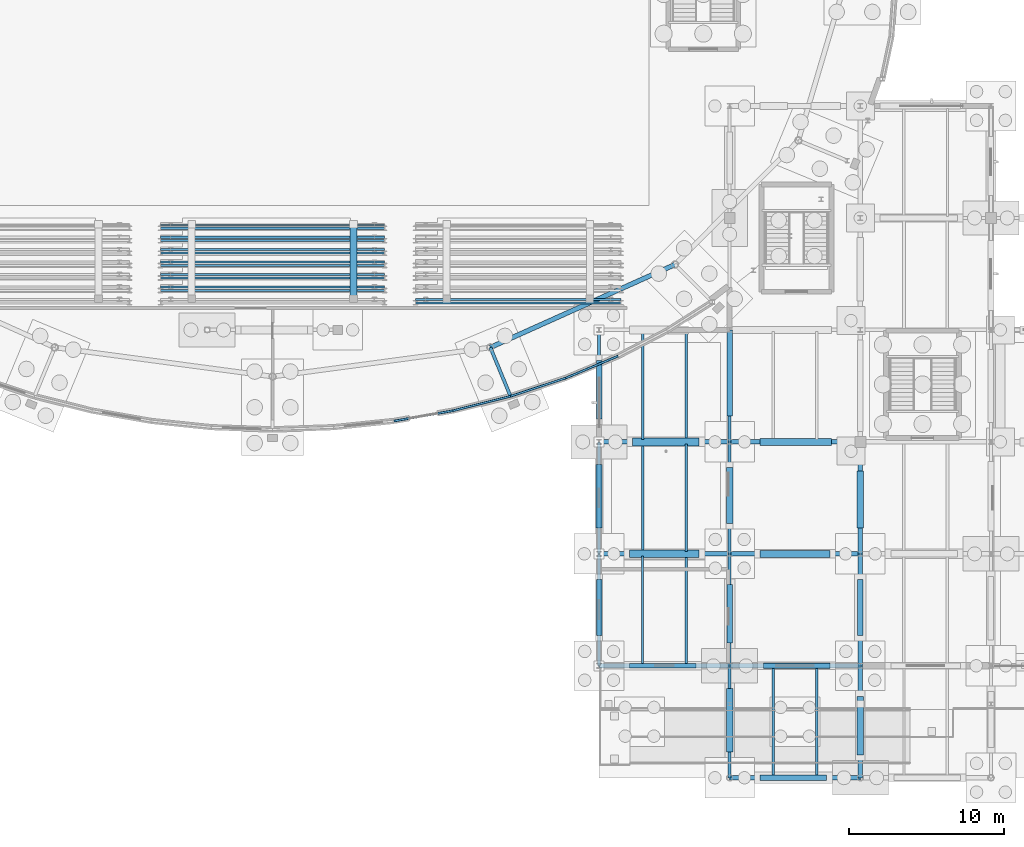
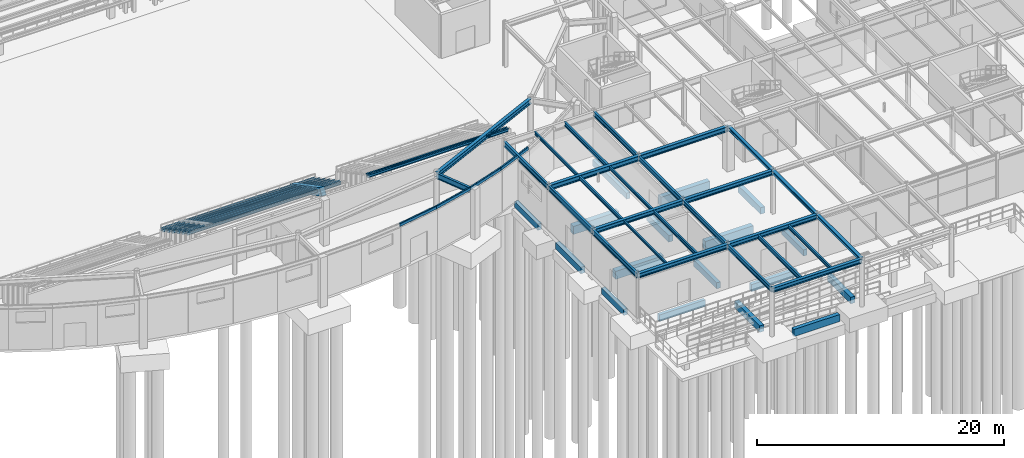
# One storey, part 34 of 93: 63 beams.
"""IFC4 building model written with IfcOpenShell, lengths in metres."""

from ifc_helpers import new_model, si_unit, derived_unit, direction, frame, origin, origin_2d, place, context, subcontext, project, spatial, rectangle, hollow_rectangle, i_section, extrude, material, material_profile, profile_set, type_object, element, save


model = new_model("IFC4")

# Units and contexts
model_context = context("Model", 3, precision=1e-05, world=origin(), true_north=direction((0.0, 1.0)))
body_context = subcontext(model_context, "Body", "Model", "MODEL_VIEW")
ifc_project = project(units=[si_unit("LENGTHUNIT", "METRE"), si_unit("AREAUNIT", "SQUARE_METRE"), si_unit("VOLUMEUNIT", "CUBIC_METRE"), si_unit("PLANEANGLEUNIT", "RADIAN"), si_unit("MASSUNIT", "GRAM", prefix="KILO"), derived_unit("THERMALTRANSMITTANCEUNIT", [(si_unit("MASSUNIT", "GRAM", prefix="KILO"), 1), (si_unit("TIMEUNIT", "SECOND"), -3), (si_unit("THERMODYNAMICTEMPERATUREUNIT", "KELVIN"), -1)])], contexts=[model_context])

# Site, building, storey
site_placement = place(None, origin())
site = spatial("IfcSite", under=ifc_project, at=site_placement, CompositionType="ELEMENT")
building_placement = place(site_placement, origin())
building = spatial("IfcBuilding", under=site, at=building_placement, Name="Kharveza Railside Sports Centre", CompositionType="ELEMENT")
storey_placement = place(building_placement, origin())
storey = spatial("IfcBuildingStorey", under=building, at=storey_placement, Name="L00", CompositionType="ELEMENT", Elevation=0.0)

# Beams
ifc_material_1 = material(Name="Steel S355J2", Category="steel")
ifc_material_profile_1 = material_profile(ifc_material_1, i_section(OverallWidth=0.2099609375, OverallDepth=0.550048828125, WebThickness=0.010986328125, FlangeThickness=0.01708984375, FilletRadius=0.02392578125, at=origin_2d()), Name="IPE 550")
ifc_profile_set_1 = profile_set([ifc_material_profile_1], Name="Steel S355J2")
beam_type_1 = type_object("IfcBeamType", Name="BM-G02", PredefinedType="T_BEAM", material=ifc_profile_set_1)
beam_1_placement = place(storey_placement, frame((68.606201171875, 27.672607421875, 4.0400390625), z_axis=(0.382666779591, -0.92388643014, 0.0), x_axis=(0.92388643014, 0.382666779591, 0.0)))
element("IfcBeam", 1, at=beam_1_placement, inside=storey, type_object=beam_type_1, Name="BM-DRAD-L00-14", PredefinedType="T_BEAM", context=body_context, shape_type="SweptSolid", body=[
    extrude(i_section(OverallWidth=0.2099609375, OverallDepth=0.550048828125, WebThickness=0.010986328125, FlangeThickness=0.01708984375, FilletRadius=0.02392578125, at=origin_2d()), origin(), (0.0, 0.0, 1.0), 3.39990234375),
])
ifc_material_profile_2 = material_profile(ifc_material_1, i_section(OverallWidth=0.199951171875, OverallDepth=0.5, WebThickness=0.01025390625, FlangeThickness=0.01611328125, FilletRadius=0.02099609375, at=origin_2d()), Name="IPE 500")
ifc_profile_set_2 = profile_set([ifc_material_profile_2], Name="Steel S355J2")
beam_type_2 = type_object("IfcBeamType", Name="BM-G03", PredefinedType="T_BEAM", material=ifc_profile_set_2)
beam_2_placement = place(storey_placement, frame((75.60009765625, 7.199951171875, 4.070068359375), z_axis=(0.0, 1.0, 0.0), x_axis=(-1.0, 0.0, 0.0)))
element("IfcBeam", 2, at=beam_2_placement, inside=storey, type_object=beam_type_2, Name="BM-NS-L00-B03-X756-Y72", PredefinedType="T_BEAM", context=body_context, shape_type="SweptSolid", body=[
    extrude(i_section(OverallWidth=0.199951171875, OverallDepth=0.5, WebThickness=0.01025390625, FlangeThickness=0.01611328125, FilletRadius=0.02099609375, at=origin_2d()), origin(), (0.0, 0.0, 1.0), 7.199951171875),
])
beam_3_placement = place(storey_placement, frame((75.60009765625, 14.39990234375, 4.070068359375), z_axis=(0.0, 1.0, 0.0), x_axis=(-1.0, 0.0, 0.0)))
element("IfcBeam", 3, at=beam_3_placement, inside=storey, type_object=beam_type_2, Name="BM-NS-L00-B03-X756-Y144", PredefinedType="T_BEAM", context=body_context, shape_type="SweptSolid", body=[
    extrude(i_section(OverallWidth=0.199951171875, OverallDepth=0.5, WebThickness=0.01025390625, FlangeThickness=0.01611328125, FilletRadius=0.02099609375, at=origin_2d()), origin(), (0.0, 0.0, 1.0), 7.2001953125),
])
beam_4_placement = place(storey_placement, frame((75.60009765625, 21.60009765625, 4.070068359375), z_axis=(0.0, 1.0, 0.0), x_axis=(-1.0, 0.0, 0.0)))
element("IfcBeam", 4, at=beam_4_placement, inside=storey, type_object=beam_type_2, Name="BM-NS-L00-B03-X756-Y216", PredefinedType="T_BEAM", context=body_context, shape_type="SweptSolid", body=[
    extrude(i_section(OverallWidth=0.199951171875, OverallDepth=0.5, WebThickness=0.01025390625, FlangeThickness=0.01611328125, FilletRadius=0.02099609375, at=origin_2d()), origin(), (0.0, 0.0, 1.0), 7.199951171875),
])
ifc_material_profile_3 = material_profile(ifc_material_1, i_section(OverallWidth=0.18994140625, OverallDepth=0.449951171875, WebThickness=0.009521484375, FlangeThickness=0.0146484375, FilletRadius=0.02099609375, at=origin_2d()), Name="IPE 450")
ifc_profile_set_3 = profile_set([ifc_material_profile_3], Name="Steel S355J2")
beam_type_3 = type_object("IfcBeamType", Name="BM-G04", PredefinedType="T_BEAM", material=ifc_profile_set_3)
for number, where, z_axis, x_axis, name in (
    (5, (84.0, 0.0, 4.094970703125), (0.0, 1.0, 0.0), (-1.0, 0.0, 0.0), "BM-NS-L00-B04-X840-Y0"),
    (6, (84.0, 7.199951171875, 4.094970703125), (0.0, 1.0, 0.0), (-1.0, 0.0, 0.0), "BM-NS-L00-B04-X840-Y72"),
):
    element("IfcBeam", number, at=place(storey_placement, frame(where, z_axis=z_axis, x_axis=x_axis)), inside=storey, type_object=beam_type_3, Name=name, PredefinedType="T_BEAM", context=body_context, shape_type="SweptSolid", body=[
        extrude(i_section(OverallWidth=0.18994140625, OverallDepth=0.449951171875, WebThickness=0.009521484375, FlangeThickness=0.0146484375, FilletRadius=0.02099609375, at=origin_2d()), origin(), (0.0, 0.0, 1.0), 7.199951171875),
    ])
beam_5_placement = place(storey_placement, frame((84.0, 14.39990234375, 4.094970703125), z_axis=(0.0, 1.0, 0.0), x_axis=(-1.0, 0.0, 0.0)))
element("IfcBeam", 7, at=beam_5_placement, inside=storey, type_object=beam_type_3, Name="BM-NS-L00-B04-X840-Y144", PredefinedType="T_BEAM", context=body_context, shape_type="SweptSolid", body=[
    extrude(i_section(OverallWidth=0.18994140625, OverallDepth=0.449951171875, WebThickness=0.009521484375, FlangeThickness=0.0146484375, FilletRadius=0.02099609375, at=origin_2d()), origin(), (0.0, 0.0, 1.0), 7.2001953125),
])
beam_6_placement = place(storey_placement, frame((84.0, 21.60009765625, 4.094970703125), z_axis=(0.0, 1.0, 0.0), x_axis=(-1.0, 0.0, 0.0)))
element("IfcBeam", 8, at=beam_6_placement, inside=storey, type_object=beam_type_3, Name="BM-NS-L00-B04-X840-Y216", PredefinedType="T_BEAM", context=body_context, shape_type="SweptSolid", body=[
    extrude(i_section(OverallWidth=0.18994140625, OverallDepth=0.449951171875, WebThickness=0.009521484375, FlangeThickness=0.0146484375, FilletRadius=0.02099609375, at=origin_2d()), origin(), (0.0, 0.0, 1.0), 7.199951171875),
])
ifc_material_profile_4 = material_profile(ifc_material_1, i_section(OverallWidth=0.300048828125, OverallDepth=0.5, WebThickness=0.014404296875, FlangeThickness=0.028076171875, FilletRadius=0.027099609375, at=origin_2d()), Name="HEB 500")
ifc_profile_set_4 = profile_set([ifc_material_profile_4], Name="Steel S355J2")
beam_type_4 = type_object("IfcBeamType", Name="BM-G05", PredefinedType="T_BEAM", material=ifc_profile_set_4)
for number, where, z_axis, x_axis, name in (
    (9, (75.60009765625, 21.60009765625, 4.070068359375), (1.0, 0.0, 0.0), (0.0, 1.0, 0.0), "BM-EW-L00-B05-X756-Y216"),
    (10, (84.0, 21.60009765625, 4.070068359375), (1.0, 0.0, 0.0), (0.0, 1.0, 0.0), "BM-EW-L00-B05-X840-Y216"),
):
    element("IfcBeam", number, at=place(storey_placement, frame(where, z_axis=z_axis, x_axis=x_axis)), inside=storey, type_object=beam_type_4, Name=name, PredefinedType="T_BEAM", context=body_context, shape_type="SweptSolid", body=[
        extrude(i_section(OverallWidth=0.300048828125, OverallDepth=0.5, WebThickness=0.014404296875, FlangeThickness=0.028076171875, FilletRadius=0.027099609375, at=origin_2d()), origin(), (0.0, 0.0, 1.0), 8.39990234375),
    ])
ifc_material_profile_5 = material_profile(ifc_material_1, i_section(OverallWidth=0.300048828125, OverallDepth=0.449951171875, WebThickness=0.013916015625, FlangeThickness=0.02587890625, FilletRadius=0.027099609375, at=origin_2d()), Name="HEB 450")
ifc_profile_set_5 = profile_set([ifc_material_profile_5], Name="Steel S355J2")
beam_type_5 = type_object("IfcBeamType", Name="BM-G06", PredefinedType="T_BEAM", material=ifc_profile_set_5)
for number, where, z_axis, x_axis, name in (
    (11, (75.60009765625, 14.39990234375, 4.094970703125), (1.0, 0.0, 0.0), (0.0, 1.0, 0.0), "BM-EW-L00-B06-X756-Y144"),
    (12, (84.0, 14.39990234375, 4.094970703125), (1.0, 0.0, 0.0), (0.0, 1.0, 0.0), "BM-EW-L00-B06-X840-Y144"),
):
    element("IfcBeam", number, at=place(storey_placement, frame(where, z_axis=z_axis, x_axis=x_axis)), inside=storey, type_object=beam_type_5, Name=name, PredefinedType="T_BEAM", context=body_context, shape_type="SweptSolid", body=[
        extrude(i_section(OverallWidth=0.300048828125, OverallDepth=0.449951171875, WebThickness=0.013916015625, FlangeThickness=0.02587890625, FilletRadius=0.027099609375, at=origin_2d()), origin(), (0.0, 0.0, 1.0), 8.39990234375),
    ])
ifc_material_profile_6 = material_profile(ifc_material_1, i_section(OverallWidth=0.300048828125, OverallDepth=0.489990234375, WebThickness=0.011962890625, FlangeThickness=0.02294921875, FilletRadius=0.027099609375, at=origin_2d()), Name="HEA 500")
ifc_profile_set_6 = profile_set([ifc_material_profile_6], Name="Steel S355J2")
beam_type_6 = type_object("IfcBeamType", Name="BM-G08", PredefinedType="T_BEAM", material=ifc_profile_set_6)
beam_7_placement = place(storey_placement, frame((68.606201171875, 27.672607421875, 4.070068359375), z_axis=(0.912228335917, 0.409682148928, 0.0), x_axis=(-0.409682148928, 0.912228335917, 0.0)))
element("IfcBeam", 13, at=beam_7_placement, inside=storey, type_object=beam_type_6, Name="BM-DRING-L00-14", PredefinedType="T_BEAM", context=body_context, shape_type="SweptSolid", body=[
    extrude(i_section(OverallWidth=0.300048828125, OverallDepth=0.489990234375, WebThickness=0.011962890625, FlangeThickness=0.02294921875, FilletRadius=0.027099609375, at=origin_2d()), origin(), (0.0, 0.0, 1.0), 13.016357421875),
])
ifc_material_2 = material(Name="Concrete C35/45", Category="concrete")
ifc_material_profile_7 = material_profile(ifc_material_2, rectangle(XDim=0.5, YDim=0.800048828125, at=origin_2d()), Name="RCB 500x800")
ifc_profile_set_7 = profile_set([ifc_material_profile_7], Name="Concrete C35/45")
beam_type_7 = type_object("IfcBeamType", Name="BM-RC01", PredefinedType="T_BEAM", material=ifc_profile_set_7)
beam_8_placement = place(storey_placement, frame((77.56005859375, 14.39990234375, -0.820068359375), z_axis=(1.0, 0.0, 0.0), x_axis=(0.0, 1.0, 0.0)))
element("IfcBeam", 14, at=beam_8_placement, inside=storey, type_object=beam_type_7, Name="BM-PLINTH-EW-B25-X756-Y144-1", PredefinedType="T_BEAM", context=body_context, shape_type="SweptSolid", body=[
    extrude(rectangle(XDim=0.5, YDim=0.800048828125, at=origin_2d()), origin(), (0.0, 0.0, 1.0), 4.47998046875),
])
beam_9_placement = place(storey_placement, frame((77.760009765625, 21.60009765625, -0.820068359375), z_axis=(1.0, 0.0, 0.0), x_axis=(0.0, 1.0, 0.0)))
element("IfcBeam", 15, at=beam_9_placement, inside=storey, type_object=beam_type_7, Name="BM-PLINTH-EW-B25-X756-Y216-1", PredefinedType="T_BEAM", context=body_context, shape_type="SweptSolid", body=[
    extrude(rectangle(XDim=0.5, YDim=0.800048828125, at=origin_2d()), origin(), (0.0, 0.0, 1.0), 4.280029296875),
])
ifc_material_profile_8 = material_profile(ifc_material_2, rectangle(XDim=0.39990234375, YDim=0.64990234375, at=origin_2d()), Name="RCB 400x650")
ifc_profile_set_8 = profile_set([ifc_material_profile_8], Name="Concrete C35/45")
beam_type_8 = type_object("IfcBeamType", Name="BM-RC02", PredefinedType="BEAM", material=ifc_profile_set_8)
beam_10_placement = place(storey_placement, frame((75.60009765625, 16.06005859375, -0.7451171875), z_axis=(0.0, 1.0, 0.0), x_axis=(-1.0, 0.0, 0.0)))
element("IfcBeam", 16, at=beam_10_placement, inside=storey, type_object=beam_type_8, Name="BM-PLINTH-NS-B26-X756-Y144-1", PredefinedType="BEAM", context=body_context, shape_type="SweptSolid", body=[
    extrude(rectangle(XDim=0.39990234375, YDim=0.64990234375, at=origin_2d()), origin(), (0.0, 0.0, 1.0), 4.079833984375),
])
beam_11_placement = place(storey_placement, frame((84.0, 1.659912109375, -0.7451171875), z_axis=(0.0, 1.0, 0.0), x_axis=(-1.0, 0.0, 0.0)))
element("IfcBeam", 17, at=beam_11_placement, inside=storey, type_object=beam_type_8, Name="BM-PLINTH-NS-B26-X840-Y0-1", PredefinedType="BEAM", context=body_context, shape_type="SweptSolid", body=[
    extrude(rectangle(XDim=0.39990234375, YDim=0.64990234375, at=origin_2d()), origin(), (0.0, 0.0, 1.0), 4.080078125),
])
beam_12_placement = place(storey_placement, frame((84.0, 16.360107421875, -0.7451171875), z_axis=(0.0, 1.0, 0.0), x_axis=(-1.0, 0.0, 0.0)))
element("IfcBeam", 18, at=beam_12_placement, inside=storey, type_object=beam_type_8, Name="BM-PLINTH-NS-B26-X840-Y144-1", PredefinedType="BEAM", context=body_context, shape_type="SweptSolid", body=[
    extrude(rectangle(XDim=0.39990234375, YDim=0.64990234375, at=origin_2d()), origin(), (0.0, 0.0, 1.0), 3.579833984375),
])
beam_13_placement = place(storey_placement, frame((92.39990234375, 1.4599609375, -0.7451171875), z_axis=(0.0, 1.0, 0.0), x_axis=(-1.0, 0.0, 0.0)))
element("IfcBeam", 19, at=beam_13_placement, inside=storey, type_object=beam_type_8, Name="BM-PLINTH-NS-B26-X924-Y0-1", PredefinedType="BEAM", context=body_context, shape_type="SweptSolid", body=[
    extrude(rectangle(XDim=0.39990234375, YDim=0.64990234375, at=origin_2d()), origin(), (0.0, 0.0, 1.0), 3.780029296875),
])
beam_14_placement = place(storey_placement, frame((92.39990234375, 16.06005859375, -0.7451171875), z_axis=(0.0, 1.0, 0.0), x_axis=(-1.0, 0.0, 0.0)))
element("IfcBeam", 20, at=beam_14_placement, inside=storey, type_object=beam_type_8, Name="BM-PLINTH-NS-B26-X924-Y144-1", PredefinedType="BEAM", context=body_context, shape_type="SweptSolid", body=[
    extrude(rectangle(XDim=0.39990234375, YDim=0.64990234375, at=origin_2d()), origin(), (0.0, 0.0, 1.0), 3.679931640625),
])
ifc_material_profile_9 = material_profile(ifc_material_2, rectangle(XDim=0.35009765625, YDim=0.699951171875, at=origin_2d()), Name="RCB 350x700")
ifc_profile_set_9 = profile_set([ifc_material_profile_9], Name="Concrete C35/45")
beam_type_9 = type_object("IfcBeamType", Name="BM-RC03", PredefinedType="SPANDREL", material=ifc_profile_set_9)
for number, where, z_axis, x_axis, name in (
    (21, (85.9599609375, 0.0, -0.77001953125), (1.0, 0.0, 0.0), (0.0, 1.0, 0.0), "BM-PLINTH-EW-B27-X840-Y0-1"),
    (22, (86.159912109375, 7.199951171875, -0.77001953125), (1.0, 0.0, 0.0), (0.0, 1.0, 0.0), "BM-PLINTH-EW-B27-X840-Y72-1"),
):
    element("IfcBeam", number, at=place(storey_placement, frame(where, z_axis=z_axis, x_axis=x_axis)), inside=storey, type_object=beam_type_9, Name=name, PredefinedType="SPANDREL", context=body_context, shape_type="SweptSolid", body=[
        extrude(rectangle(XDim=0.35009765625, YDim=0.699951171875, at=origin_2d()), origin(), (0.0, 0.0, 1.0), 4.280029296875),
    ])
ifc_material_3 = material(Name="Precast concrete C40/50", Category="concrete")
ifc_material_profile_10 = material_profile(ifc_material_3, rectangle(XDim=0.449951171875, YDim=0.75, at=origin_2d()), Name="RCB 450x750")
ifc_profile_set_10 = profile_set([ifc_material_profile_10], Name="Precast concrete C40/50")
beam_type_10 = type_object("IfcBeamType", Name="BM-RC04", PredefinedType="BEAM", material=ifc_profile_set_10)
beam_15_placement = place(storey_placement, frame((59.800048828125, 30.800048828125, 3.6298828125), z_axis=(0.0, 0.883895060385, -0.467685281175), x_axis=(-1.0, 0.0, 0.0)))
element("IfcBeam", 23, at=beam_15_placement, inside=storey, type_object=beam_type_10, Name="BM-RAKER-S-04", PredefinedType="BEAM", context=body_context, shape_type="SweptSolid", body=[
    extrude(rectangle(XDim=0.449951171875, YDim=0.75, at=origin_2d()), origin(), (0.0, 0.0, 1.0), 5.4306640625),
])
ifc_material_profile_11 = material_profile(ifc_material_2, rectangle(XDim=0.449951171875, YDim=0.85009765625, at=origin_2d()), Name="RCB 450x850")
ifc_profile_set_11 = profile_set([ifc_material_profile_11], Name="Concrete C35/45")
beam_type_11 = type_object("IfcBeamType", Name="BM-RC05", PredefinedType="T_BEAM", material=ifc_profile_set_11)
beam_16_placement = place(storey_placement, frame((85.9599609375, 14.39990234375, -0.844970703125), z_axis=(1.0, 0.0, 0.0), x_axis=(0.0, 1.0, 0.0)))
element("IfcBeam", 24, at=beam_16_placement, inside=storey, type_object=beam_type_11, Name="BM-PLINTH-EW-B29-X840-Y144-1", PredefinedType="T_BEAM", context=body_context, shape_type="SweptSolid", body=[
    extrude(rectangle(XDim=0.449951171875, YDim=0.85009765625, at=origin_2d()), origin(), (0.0, 0.0, 1.0), 4.47998046875),
])
beam_17_placement = place(storey_placement, frame((85.9599609375, 21.60009765625, -0.844970703125), z_axis=(1.0, 0.0, 0.0), x_axis=(0.0, 1.0, 0.0)))
element("IfcBeam", 25, at=beam_17_placement, inside=storey, type_object=beam_type_11, Name="BM-PLINTH-EW-B29-X840-Y216-1", PredefinedType="T_BEAM", context=body_context, shape_type="SweptSolid", body=[
    extrude(rectangle(XDim=0.449951171875, YDim=0.85009765625, at=origin_2d()), origin(), (0.0, 0.0, 1.0), 4.580078125),
])
ifc_material_profile_12 = material_profile(ifc_material_2, rectangle(XDim=0.35009765625, YDim=0.60009765625, at=origin_2d()), Name="RCB 350x600")
ifc_profile_set_12 = profile_set([ifc_material_profile_12], Name="Concrete C35/45")
beam_type_12 = type_object("IfcBeamType", Name="BM-RC06", PredefinedType="BEAM", material=ifc_profile_set_12)
beam_18_placement = place(storey_placement, frame((75.60009765625, 9.159912109375, -0.719970703125), z_axis=(0.0, 1.0, 0.0), x_axis=(-1.0, 0.0, 0.0)))
element("IfcBeam", 26, at=beam_18_placement, inside=storey, type_object=beam_type_12, Name="BM-PLINTH-NS-B30-X756-Y72-1", PredefinedType="BEAM", context=body_context, shape_type="SweptSolid", body=[
    extrude(rectangle(XDim=0.35009765625, YDim=0.60009765625, at=origin_2d()), origin(), (0.0, 0.0, 1.0), 3.580078125),
])
for number, where, z_axis, x_axis, name in (
    (27, (75.60009765625, 23.06005859375, -0.719970703125), (0.0, 1.0, 0.0), (-1.0, 0.0, 0.0), "BM-PLINTH-NS-B30-X756-Y216-1"),
    (28, (84.0, 8.659912109375, -0.719970703125), (0.0, 1.0, 0.0), (-1.0, 0.0, 0.0), "BM-PLINTH-NS-B30-X840-Y72-1"),
):
    element("IfcBeam", number, at=place(storey_placement, frame(where, z_axis=z_axis, x_axis=x_axis)), inside=storey, type_object=beam_type_12, Name=name, PredefinedType="BEAM", context=body_context, shape_type="SweptSolid", body=[
        extrude(rectangle(XDim=0.35009765625, YDim=0.60009765625, at=origin_2d()), origin(), (0.0, 0.0, 1.0), 3.780029296875),
    ])
beam_19_placement = place(storey_placement, frame((84.0, 23.260009765625, -0.719970703125), z_axis=(0.0, 1.0, 0.0), x_axis=(-1.0, 0.0, 0.0)))
element("IfcBeam", 29, at=beam_19_placement, inside=storey, type_object=beam_type_12, Name="BM-PLINTH-NS-B30-X840-Y216-1", PredefinedType="BEAM", context=body_context, shape_type="SweptSolid", body=[
    extrude(rectangle(XDim=0.35009765625, YDim=0.60009765625, at=origin_2d()), origin(), (0.0, 0.0, 1.0), 5.5400390625),
])
beam_20_placement = place(storey_placement, frame((92.39990234375, 9.159912109375, -0.719970703125), z_axis=(0.0, 1.0, 0.0), x_axis=(-1.0, 0.0, 0.0)))
element("IfcBeam", 30, at=beam_20_placement, inside=storey, type_object=beam_type_12, Name="BM-PLINTH-NS-B30-X924-Y72-1", PredefinedType="BEAM", context=body_context, shape_type="SweptSolid", body=[
    extrude(rectangle(XDim=0.35009765625, YDim=0.60009765625, at=origin_2d()), origin(), (0.0, 0.0, 1.0), 3.580078125),
])
ifc_material_profile_13 = material_profile(ifc_material_3, rectangle(XDim=0.300048828125, YDim=0.64990234375, at=origin_2d()), Name="RCB 300x650")
ifc_profile_set_13 = profile_set([ifc_material_profile_13], Name="Precast concrete C40/50")
beam_type_13 = type_object("IfcBeamType", Name="BM-RC08", PredefinedType="SPANDREL", material=ifc_profile_set_13)
beam_21_placement = place(storey_placement, frame((77.56005859375, 7.199951171875, -0.7451171875), z_axis=(1.0, 0.0, 0.0), x_axis=(0.0, 1.0, 0.0)))
element("IfcBeam", 31, at=beam_21_placement, inside=storey, type_object=beam_type_13, Name="BM-PLINTH-EW-B32-X756-Y72-1", PredefinedType="SPANDREL", context=body_context, shape_type="SweptSolid", body=[
    extrude(rectangle(XDim=0.300048828125, YDim=0.64990234375, at=origin_2d()), origin(), (0.0, 0.0, 1.0), 4.280029296875),
])
ifc_material_profile_14 = material_profile(ifc_material_1, i_section(OverallWidth=0.179931640625, OverallDepth=0.39990234375, WebThickness=0.008544921875, FlangeThickness=0.013427734375, FilletRadius=0.02099609375, at=origin_2d()), Name="IPE 400")
ifc_profile_set_14 = profile_set([ifc_material_profile_14], Name="Steel S355J2")
beam_type_14 = type_object("IfcBeamType", Name="BM-S01", PredefinedType="BEAM", material=ifc_profile_set_14)
beam_22_placement = place(storey_placement, frame((81.199951171875, 21.7470703125, 4.1201171875), z_axis=(0.0, 1.0, 0.0), x_axis=(-1.0, 0.0, 0.0)))
element("IfcBeam", 32, at=beam_22_placement, inside=storey, type_object=beam_type_14, Name="BM-SEC-L00-B09-X812-Y216", PredefinedType="BEAM", context=body_context, shape_type="SweptSolid", body=[
    extrude(i_section(OverallWidth=0.179931640625, OverallDepth=0.39990234375, WebThickness=0.008544921875, FlangeThickness=0.013427734375, FilletRadius=0.02099609375, at=origin_2d()), origin(), (0.0, 0.0, 1.0), 6.946044921875),
])
beam_23_placement = place(storey_placement, frame((86.800048828125, 0.14697265625, 4.1201171875), z_axis=(0.0, 1.0, 0.0), x_axis=(-1.0, 0.0, 0.0)))
element("IfcBeam", 33, at=beam_23_placement, inside=storey, type_object=beam_type_14, Name="BM-SEC-L00-B09-X868-Y0", PredefinedType="BEAM", context=body_context, shape_type="SweptSolid", body=[
    extrude(i_section(OverallWidth=0.179931640625, OverallDepth=0.39990234375, WebThickness=0.008544921875, FlangeThickness=0.013427734375, FilletRadius=0.02099609375, at=origin_2d()), origin(), (0.0, 0.0, 1.0), 6.906005859375),
])
ifc_material_profile_15 = material_profile(ifc_material_1, i_section(OverallWidth=0.169921875, OverallDepth=0.360107421875, WebThickness=0.008056640625, FlangeThickness=0.0126953125, FilletRadius=0.01806640625, at=origin_2d()), Name="IPE 360")
ifc_profile_set_15 = profile_set([ifc_material_profile_15], Name="Steel S355J2")
beam_type_15 = type_object("IfcBeamType", Name="BM-S02", PredefinedType="BEAM", material=ifc_profile_set_15)
beam_24_placement = place(storey_placement, frame((81.199951171875, 7.346923828125, 4.139892578125), z_axis=(0.0, 1.0, 0.0), x_axis=(-1.0, 0.0, 0.0)))
element("IfcBeam", 34, at=beam_24_placement, inside=storey, type_object=beam_type_15, Name="BM-SEC-L00-B10-X812-Y72", PredefinedType="BEAM", context=body_context, shape_type="SweptSolid", body=[
    extrude(i_section(OverallWidth=0.169921875, OverallDepth=0.360107421875, WebThickness=0.008056640625, FlangeThickness=0.0126953125, FilletRadius=0.01806640625, at=origin_2d()), origin(), (0.0, 0.0, 1.0), 6.906005859375),
])
beam_25_placement = place(storey_placement, frame((78.39990234375, 14.547119140625, 4.139892578125), z_axis=(0.0, 1.0, 0.0), x_axis=(-1.0, 0.0, 0.0)))
element("IfcBeam", 35, at=beam_25_placement, inside=storey, type_object=beam_type_15, Name="BM-SEC-L00-B10-X784-Y144", PredefinedType="BEAM", context=body_context, shape_type="SweptSolid", body=[
    extrude(i_section(OverallWidth=0.169921875, OverallDepth=0.360107421875, WebThickness=0.008056640625, FlangeThickness=0.0126953125, FilletRadius=0.01806640625, at=origin_2d()), origin(), (0.0, 0.0, 1.0), 6.90576171875),
])
ifc_material_profile_16 = material_profile(ifc_material_1, i_section(OverallWidth=0.159912109375, OverallDepth=0.330078125, WebThickness=0.007568359375, FlangeThickness=0.011474609375, FilletRadius=0.01806640625, at=origin_2d()), Name="IPE 330")
ifc_profile_set_16 = profile_set([ifc_material_profile_16], Name="Steel S355J2")
beam_type_16 = type_object("IfcBeamType", Name="BM-S03", PredefinedType="BEAM", material=ifc_profile_set_16)
beam_26_placement = place(storey_placement, frame((89.60009765625, 0.14697265625, 4.155029296875), z_axis=(0.0, 1.0, 0.0), x_axis=(-1.0, 0.0, 0.0)))
element("IfcBeam", 36, at=beam_26_placement, inside=storey, type_object=beam_type_16, Name="BM-SEC-L00-B11-X896-Y0", PredefinedType="BEAM", context=body_context, shape_type="SweptSolid", body=[
    extrude(i_section(OverallWidth=0.159912109375, OverallDepth=0.330078125, WebThickness=0.007568359375, FlangeThickness=0.011474609375, FilletRadius=0.01806640625, at=origin_2d()), origin(), (0.0, 0.0, 1.0), 6.906005859375),
])
ifc_material_profile_17 = material_profile(ifc_material_1, i_section(OverallWidth=0.14990234375, OverallDepth=0.300048828125, WebThickness=0.007080078125, FlangeThickness=0.0107421875, FilletRadius=0.014892578125, at=origin_2d()), Name="IPE 300")
ifc_profile_set_17 = profile_set([ifc_material_profile_17], Name="Steel S355J2")
beam_type_17 = type_object("IfcBeamType", Name="BM-S04", PredefinedType="BEAM", material=ifc_profile_set_17)
beam_27_placement = place(storey_placement, frame((81.199951171875, 14.547119140625, 4.169921875), z_axis=(0.0, 1.0, 0.0), x_axis=(-1.0, 0.0, 0.0)))
element("IfcBeam", 37, at=beam_27_placement, inside=storey, type_object=beam_type_17, Name="BM-SEC-L00-B12-X812-Y144", PredefinedType="BEAM", context=body_context, shape_type="SweptSolid", body=[
    extrude(i_section(OverallWidth=0.14990234375, OverallDepth=0.300048828125, WebThickness=0.007080078125, FlangeThickness=0.0107421875, FilletRadius=0.014892578125, at=origin_2d()), origin(), (0.0, 0.0, 1.0), 6.90576171875),
])
beam_28_placement = place(storey_placement, frame((78.39990234375, 21.7470703125, 4.169921875), z_axis=(0.0, 1.0, 0.0), x_axis=(-1.0, 0.0, 0.0)))
element("IfcBeam", 38, at=beam_28_placement, inside=storey, type_object=beam_type_17, Name="BM-SEC-L00-B12-X784-Y216", PredefinedType="BEAM", context=body_context, shape_type="SweptSolid", body=[
    extrude(i_section(OverallWidth=0.14990234375, OverallDepth=0.300048828125, WebThickness=0.007080078125, FlangeThickness=0.0107421875, FilletRadius=0.014892578125, at=origin_2d()), origin(), (0.0, 0.0, 1.0), 6.946044921875),
])
ifc_material_profile_18 = material_profile(ifc_material_1, i_section(OverallWidth=0.135009765625, OverallDepth=0.27001953125, WebThickness=0.006591796875, FlangeThickness=0.01025390625, FilletRadius=0.014892578125, at=origin_2d()), Name="IPE 270")
ifc_profile_set_18 = profile_set([ifc_material_profile_18], Name="Steel S355J2")
beam_type_18 = type_object("IfcBeamType", Name="BM-S05", PredefinedType="BEAM", material=ifc_profile_set_18)
for number, where, z_axis, x_axis, name in (
    (39, (63.800048828125, 30.5400390625, 3.85498046875), (1.0, 0.0, 0.0), (0.0, 1.0, 0.0), "BM-TSTR-S01-S3-1"),
    (40, (63.800048828125, 30.760009765625, 3.85498046875), (1.0, 0.0, 0.0), (0.0, 1.0, 0.0), "BM-TSTR-S01-S3-2"),
):
    element("IfcBeam", number, at=place(storey_placement, frame(where, z_axis=z_axis, x_axis=x_axis)), inside=storey, type_object=beam_type_18, Name=name, PredefinedType="BEAM", context=body_context, shape_type="SweptSolid", body=[
        extrude(i_section(OverallWidth=0.135009765625, OverallDepth=0.27001953125, WebThickness=0.006591796875, FlangeThickness=0.01025390625, FilletRadius=0.014892578125, at=origin_2d()), origin(), (0.0, 0.0, 1.0), 13.199951171875),
    ])
for number, where, z_axis, x_axis, name in (
    (41, (47.39990234375, 31.340087890625, 3.43505859375), (1.0, 0.0, 0.0), (0.0, 1.0, 0.0), "BM-TSTR-S02-S2-1"),
    (42, (47.39990234375, 31.56005859375, 3.43505859375), (1.0, 0.0, 0.0), (0.0, 1.0, 0.0), "BM-TSTR-S02-S2-2"),
    (43, (47.39990234375, 32.139892578125, 3.014892578125), (1.0, 0.0, 0.0), (0.0, 1.0, 0.0), "BM-TSTR-S03-S2-1"),
    (44, (47.39990234375, 32.360107421875, 3.014892578125), (1.0, 0.0, 0.0), (0.0, 1.0, 0.0), "BM-TSTR-S03-S2-2"),
    (45, (47.39990234375, 32.93994140625, 2.594970703125), (1.0, 0.0, 0.0), (0.0, 1.0, 0.0), "BM-TSTR-S04-S2-1"),
    (46, (47.39990234375, 33.159912109375, 2.594970703125), (1.0, 0.0, 0.0), (0.0, 1.0, 0.0), "BM-TSTR-S04-S2-2"),
    (47, (47.39990234375, 33.739990234375, 2.156982421875), (1.0, 0.0, 0.0), (0.0, 1.0, 0.0), "BM-TSTR-S05-S2-1"),
    (48, (47.39990234375, 33.9599609375, 2.156982421875), (1.0, 0.0, 0.0), (0.0, 1.0, 0.0), "BM-TSTR-S05-S2-2"),
    (49, (47.39990234375, 34.5400390625, 1.737060546875), (1.0, 0.0, 0.0), (0.0, 1.0, 0.0), "BM-TSTR-S06-S2-1"),
    (50, (47.39990234375, 34.760009765625, 1.737060546875), (1.0, 0.0, 0.0), (0.0, 1.0, 0.0), "BM-TSTR-S06-S2-2"),
    (51, (47.39990234375, 35.340087890625, 1.31689453125), (1.0, 0.0, 0.0), (0.0, 1.0, 0.0), "BM-TSTR-S07-S2-1"),
    (52, (47.39990234375, 35.56005859375, 1.31689453125), (1.0, 0.0, 0.0), (0.0, 1.0, 0.0), "BM-TSTR-S07-S2-2"),
):
    element("IfcBeam", number, at=place(storey_placement, frame(where, z_axis=z_axis, x_axis=x_axis)), inside=storey, type_object=beam_type_18, Name=name, PredefinedType="BEAM", context=body_context, shape_type="SweptSolid", body=[
        extrude(i_section(OverallWidth=0.135009765625, OverallDepth=0.27001953125, WebThickness=0.006591796875, FlangeThickness=0.01025390625, FilletRadius=0.014892578125, at=origin_2d()), origin(), (0.0, 0.0, 1.0), 14.400146484375),
    ])
beam_29_placement = place(storey_placement, frame((78.39990234375, 7.346923828125, 4.18505859375), z_axis=(0.0, 1.0, 0.0), x_axis=(-1.0, 0.0, 0.0)))
element("IfcBeam", 53, at=beam_29_placement, inside=storey, type_object=beam_type_18, Name="BM-SEC-L00-B13-X784-Y72", PredefinedType="BEAM", context=body_context, shape_type="SweptSolid", body=[
    extrude(i_section(OverallWidth=0.135009765625, OverallDepth=0.27001953125, WebThickness=0.006591796875, FlangeThickness=0.01025390625, FilletRadius=0.014892578125, at=origin_2d()), origin(), (0.0, 0.0, 1.0), 6.906005859375),
])
ifc_material_profile_19 = material_profile(ifc_material_1, i_section(OverallWidth=0.300048828125, OverallDepth=0.31005859375, WebThickness=0.009033203125, FlangeThickness=0.015380859375, FilletRadius=0.027099609375, at=origin_2d()), Name="HEA 320")
ifc_profile_set_19 = profile_set([ifc_material_profile_19], Name="Steel S355J2")
beam_type_19 = type_object("IfcBeamType", Name="BM-S06", PredefinedType="BEAM", material=ifc_profile_set_19)
for number, where, z_axis, x_axis, name in (
    (54, (92.39990234375, 0.0, 4.1650390625), (0.0, 1.0, 0.0), (-1.0, 0.0, 0.0), "BM-NS-L00-B14-X924-Y0"),
    (55, (92.39990234375, 7.199951171875, 4.1650390625), (0.0, 1.0, 0.0), (-1.0, 0.0, 0.0), "BM-NS-L00-B14-X924-Y72"),
):
    element("IfcBeam", number, at=place(storey_placement, frame(where, z_axis=z_axis, x_axis=x_axis)), inside=storey, type_object=beam_type_19, Name=name, PredefinedType="BEAM", context=body_context, shape_type="SweptSolid", body=[
        extrude(i_section(OverallWidth=0.300048828125, OverallDepth=0.31005859375, WebThickness=0.009033203125, FlangeThickness=0.015380859375, FilletRadius=0.027099609375, at=origin_2d()), origin(), (0.0, 0.0, 1.0), 7.199951171875),
    ])
beam_30_placement = place(storey_placement, frame((92.39990234375, 14.39990234375, 4.1650390625), z_axis=(0.0, 1.0, 0.0), x_axis=(-1.0, 0.0, 0.0)))
element("IfcBeam", 56, at=beam_30_placement, inside=storey, type_object=beam_type_19, Name="BM-NS-L00-B14-X924-Y144", PredefinedType="BEAM", context=body_context, shape_type="SweptSolid", body=[
    extrude(i_section(OverallWidth=0.300048828125, OverallDepth=0.31005859375, WebThickness=0.009033203125, FlangeThickness=0.015380859375, FilletRadius=0.027099609375, at=origin_2d()), origin(), (0.0, 0.0, 1.0), 7.2001953125),
])
ifc_material_profile_20 = material_profile(ifc_material_1, i_section(OverallWidth=0.300048828125, OverallDepth=0.43994140625, WebThickness=0.011474609375, FlangeThickness=0.02099609375, FilletRadius=0.027099609375, at=origin_2d()), Name="HEA 450")
ifc_profile_set_20 = profile_set([ifc_material_profile_20], Name="Steel S355J2")
beam_type_20 = type_object("IfcBeamType", Name="BM-SP01", PredefinedType="SPANDREL", material=ifc_profile_set_20)
for number, where, z_axis, x_axis, name in (
    (57, (75.60009765625, 7.199951171875, 4.10009765625), (1.0, 0.0, 0.0), (0.0, 1.0, 0.0), "BM-EW-L00-B15-X756-Y72"),
    (58, (84.0, 0.0, 4.10009765625), (1.0, 0.0, 0.0), (0.0, 1.0, 0.0), "BM-EW-L00-B15-X840-Y0"),
    (59, (84.0, 7.199951171875, 4.10009765625), (1.0, 0.0, 0.0), (0.0, 1.0, 0.0), "BM-EW-L00-B15-X840-Y72"),
):
    element("IfcBeam", number, at=place(storey_placement, frame(where, z_axis=z_axis, x_axis=x_axis)), inside=storey, type_object=beam_type_20, Name=name, PredefinedType="SPANDREL", context=body_context, shape_type="SweptSolid", body=[
        extrude(i_section(OverallWidth=0.300048828125, OverallDepth=0.43994140625, WebThickness=0.011474609375, FlangeThickness=0.02099609375, FilletRadius=0.027099609375, at=origin_2d()), origin(), (0.0, 0.0, 1.0), 8.39990234375),
    ])
ifc_material_profile_21 = material_profile(ifc_material_1, hollow_rectangle(XDim=0.14990234375, YDim=0.300048828125, WallThickness=0.012451171875, InnerFilletRadius=0.012451171875, OuterFilletRadius=0.02490234375, at=origin_2d()), Name="RHS 150x300x12.5")
ifc_profile_set_21 = profile_set([ifc_material_profile_21], Name="Steel S355J2")
beam_type_21 = type_object("IfcBeamType", Name="BM-SP03", PredefinedType="SPANDREL", material=ifc_profile_set_21)
beam_31_placement = place(storey_placement, frame((62.403564453125, 22.93798828125, 4.159912109375), z_axis=(0.984971163925, 0.172718864739, 0.0), x_axis=(-0.172718864739, 0.984971163925, 0.0)))
element("IfcBeam", 60, at=beam_31_placement, inside=storey, type_object=beam_type_21, Name="BM-DCLER-SILL-51", PredefinedType="SPANDREL", context=body_context, shape_type="SweptSolid", body=[
    extrude(hollow_rectangle(XDim=0.14990234375, YDim=0.300048828125, WallThickness=0.012451171875, InnerFilletRadius=0.012451171875, OuterFilletRadius=0.02490234375, at=origin_2d()), origin(), (0.0, 0.0, 1.0), 3.865966796875),
])
beam_32_placement = place(storey_placement, frame((66.21142578125, 23.605712890625, 4.159912109375), z_axis=(0.970029313946, 0.242987921686, 0.0), x_axis=(-0.242987921686, 0.970029313946, 0.0)))
element("IfcBeam", 61, at=beam_32_placement, inside=storey, type_object=beam_type_21, Name="BM-DCLER-SILL-52", PredefinedType="SPANDREL", context=body_context, shape_type="SweptSolid", body=[
    extrude(hollow_rectangle(XDim=0.14990234375, YDim=0.300048828125, WallThickness=0.012451171875, InnerFilletRadius=0.012451171875, OuterFilletRadius=0.02490234375, at=origin_2d()), origin(), (0.0, 0.0, 1.0), 3.81005859375),
])
beam_33_placement = place(storey_placement, frame((69.9072265625, 24.531494140625, 4.159912109375), z_axis=(0.949327915917, 0.314287301781, 0.0), x_axis=(-0.314287301781, 0.949327915917, 0.0)))
element("IfcBeam", 62, at=beam_33_placement, inside=storey, type_object=beam_type_21, Name="BM-DCLER-SILL-53", PredefinedType="SPANDREL", context=body_context, shape_type="SweptSolid", body=[
    extrude(hollow_rectangle(XDim=0.14990234375, YDim=0.300048828125, WallThickness=0.012451171875, InnerFilletRadius=0.012451171875, OuterFilletRadius=0.02490234375, at=origin_2d()), origin(), (0.0, 0.0, 1.0), 3.738037109375),
])
beam_34_placement = place(storey_placement, frame((73.455810546875, 25.706298828125, 4.159912109375), z_axis=(0.922130522386, 0.386878921219, 0.0), x_axis=(-0.386878921219, 0.922130522386, 0.0)))
element("IfcBeam", 63, at=beam_34_placement, inside=storey, type_object=beam_type_21, Name="BM-DCLER-SILL-54", PredefinedType="SPANDREL", context=body_context, shape_type="SweptSolid", body=[
    extrude(hollow_rectangle(XDim=0.14990234375, YDim=0.300048828125, WallThickness=0.012451171875, InnerFilletRadius=0.012451171875, OuterFilletRadius=0.02490234375, at=origin_2d()), origin(), (0.0, 0.0, 1.0), 3.6513671875),
])

save(model, "model.ifc")
